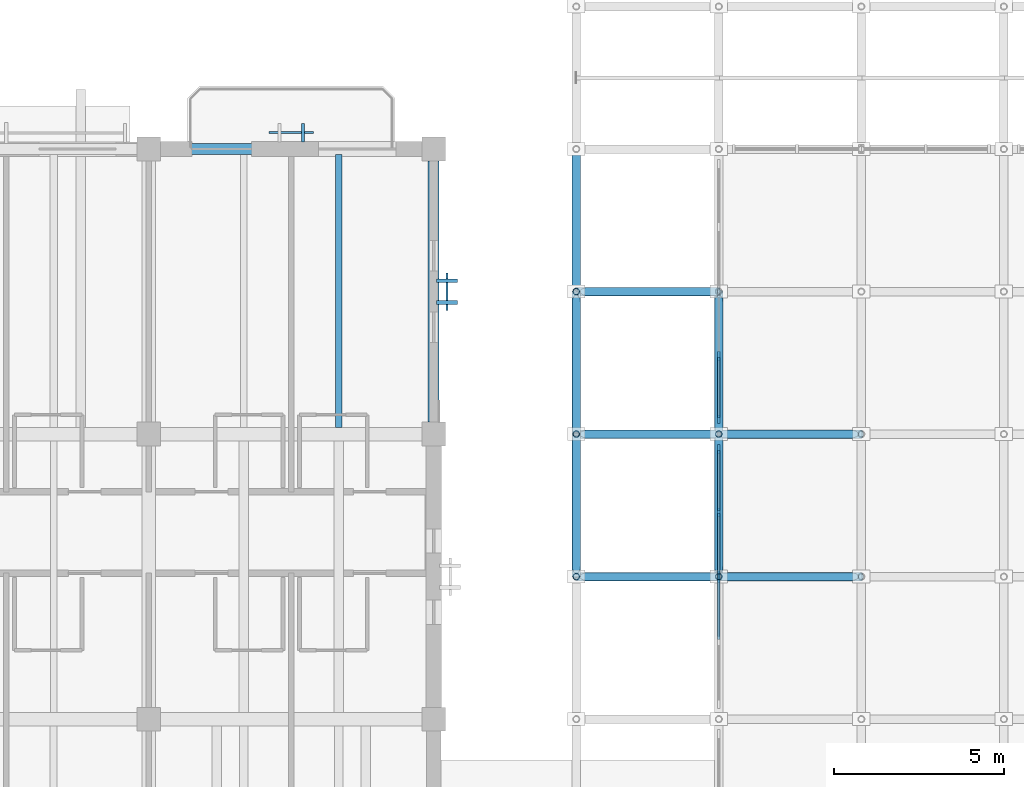
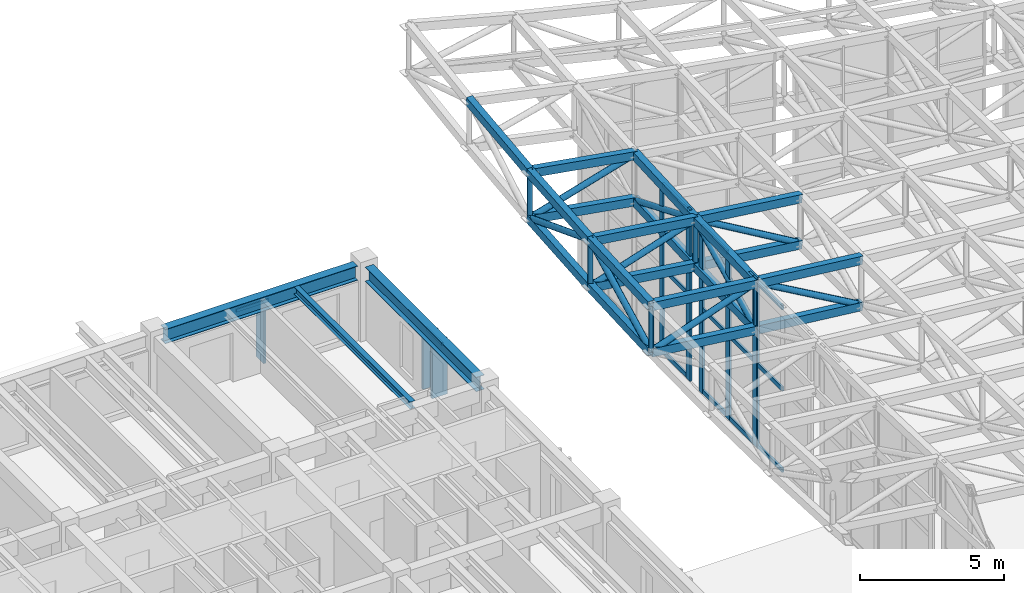
# One storey, part 31 of 111: 56 members, 3 beams, 5 elements without a shape of their own.
"""IFC4 building model written with IfcOpenShell, lengths in metres."""

import ifcopenshell
import ifcopenshell.guid

model = None  # the IFC model being written
_history = None  # IfcOwnerHistory: only IFC2X3 demands one
_inside = {}  # id of a spatial element -> (the spatial element, [elements in it])
_under = {}  # id of a project, library or spatial element -> (it, [spatial elements below it])
_declared = {}  # id of a project -> (the project, [libraries it declares])
_typed = {}  # id of a type object -> (the type object, [elements of that type])
_made_of = {}  # id of a material, layer set ... -> (it, [elements and type objects made of it])


def new_model(schema):
    """Start an empty IFC model of exactly this schema.

    Asked for "IFC4X3", IfcOpenShell would pick the latest addendum, in which some entities
    have other attributes; the version numbers below select the first issue.
    IFC2X3 requires an IfcOwnerHistory on every rooted entity: one is made here for all.
    """
    global model, _history
    if schema == "IFC4X3":
        model = ifcopenshell.file(schema_version=(4, 3, 0, 0))
    else:
        model = ifcopenshell.file(schema=schema)
    _inside.clear()
    _under.clear()
    _declared.clear()
    _typed.clear()
    _made_of.clear()
    _history = None
    if model.schema == "IFC2X3":
        org = make("IfcOrganization", Name="unknown")
        user = make(
            "IfcPersonAndOrganization",
            ThePerson=make("IfcPerson", FamilyName="unknown"),
            TheOrganization=org,
        )
        app = make(
            "IfcApplication",
            ApplicationDeveloper=org,
            Version="unknown",
            ApplicationFullName="unknown",
            ApplicationIdentifier="unknown",
        )
        _history = make(
            "IfcOwnerHistory",
            OwningUser=user,
            OwningApplication=app,
            ChangeAction="ADDED",
            CreationDate=0,
        )
    return model


def make(cls, **values):
    """One entity of the class cls with the attributes given. An attribute that is None is left unset."""
    return model.create_entity(
        cls, **{name: value for name, value in values.items() if value is not None}
    )


def rooted(cls, **values):
    """An entity with a GlobalId (a new one), such as an element, a storey or a relation."""
    return make(cls, GlobalId=ifcopenshell.guid.new(), OwnerHistory=_history, **values)


def si_unit(unit_type, name, prefix=None):
    """IfcSIUnit, for example si_unit("LENGTHUNIT", "METRE", prefix="MILLI")."""
    return make("IfcSIUnit", UnitType=unit_type, Prefix=prefix, Name=name)


def assignment(units):
    """IfcUnitAssignment: the units of a project."""
    return None if units is None else make("IfcUnitAssignment", Units=units)


def point(xyz):
    """IfcCartesianPoint."""
    return None if xyz is None else make("IfcCartesianPoint", Coordinates=xyz)


def direction(xyz):
    """IfcDirection."""
    return None if xyz is None else make("IfcDirection", DirectionRatios=xyz)


def frame(location, z_axis=None, x_axis=None):
    """IfcAxis2Placement3D, a coordinate frame: its origin and axes. An axis left out is left unset."""
    return make(
        "IfcAxis2Placement3D",
        Location=point(location),
        Axis=direction(z_axis),
        RefDirection=direction(x_axis),
    )


def frame_2d(location, x_axis=None):
    """IfcAxis2Placement2D, a coordinate frame in the plane: its origin and x axis."""
    return make(
        "IfcAxis2Placement2D", Location=point(location), RefDirection=direction(x_axis)
    )


def origin():
    """The frame at (0, 0, 0) with its axes left unset."""
    return frame((0.0, 0.0, 0.0))


def origin_2d():
    """The frame at (0, 0) in the plane with its x axis left unset."""
    return frame_2d((0.0, 0.0))


def place(relative_to, where):
    """IfcLocalPlacement: puts the frame where relative to a parent placement (None: the world)."""
    return make(
        "IfcLocalPlacement", PlacementRelTo=relative_to, RelativePlacement=where
    )


def context(
    kind, dimensions, precision=None, world=None, true_north=None, identifier=None
):
    """IfcGeometricRepresentationContext, for example the 3D "Model" context."""
    return make(
        "IfcGeometricRepresentationContext",
        ContextIdentifier=identifier,
        ContextType=kind,
        CoordinateSpaceDimension=dimensions,
        Precision=precision,
        WorldCoordinateSystem=world,
        TrueNorth=true_north,
    )


def subcontext(parent, identifier, kind, view, scale=None):
    """IfcGeometricRepresentationSubContext, for example "Body" below "Model"."""
    return make(
        "IfcGeometricRepresentationSubContext",
        ContextIdentifier=identifier,
        ContextType=kind,
        ParentContext=parent,
        TargetScale=scale,
        TargetView=view,
    )


def project(units=None, contexts=None):
    """IfcProject with its units and contexts."""
    return rooted(
        "IfcProject",
        Name="project",
        RepresentationContexts=contexts,
        UnitsInContext=assignment(units),
    )


def spatial(cls, under=None, at=None, **own):
    """A site, building, storey or space (cls), placed at a placement, below another one or the project."""
    s = rooted(cls, ObjectPlacement=at, **own)
    if under is not None:
        _under.setdefault(under.id(), (under, []))[1].append(s)
    return s


def profile(cls, at=None, kind="AREA", **sizes):
    """A parametric profile (cls). Its sizes go by their IFC names, for example OverallWidth=200.0."""
    return make(cls, ProfileType=kind, Position=at, **sizes)


def rectangle(**sizes):
    """IfcRectangleProfileDef."""
    return profile("IfcRectangleProfileDef", **sizes)


def hollow_rectangle(**sizes):
    """IfcRectangleHollowProfileDef."""
    return profile("IfcRectangleHollowProfileDef", **sizes)


def hollow_circle(**sizes):
    """IfcCircleHollowProfileDef."""
    return profile("IfcCircleHollowProfileDef", **sizes)


def i_section(**sizes):
    """IfcIShapeProfileDef."""
    return profile("IfcIShapeProfileDef", **sizes)


def extrude(swept, where, along, depth):
    """IfcExtrudedAreaSolid: the profile swept, set in the frame where, extruded along a direction by depth."""
    return make(
        "IfcExtrudedAreaSolid",
        SweptArea=swept,
        Position=where,
        ExtrudedDirection=direction(along),
        Depth=depth,
    )


def shape(context_of_items, identifier, shape_type, items):
    """IfcShapeRepresentation: the items that make up one representation, for example the "Body"."""
    return make(
        "IfcShapeRepresentation",
        ContextOfItems=context_of_items,
        RepresentationIdentifier=identifier,
        RepresentationType=shape_type,
        Items=items,
    )


def material(Name=None, Category=None):
    """IfcMaterial."""
    return make("IfcMaterial", Name=Name, Category=Category)


def material_profile(
    of_material, cross_section, Name=None, Category=None, Priority=None
):
    """IfcMaterialProfile: a cross section and its material."""
    return make(
        "IfcMaterialProfile",
        Name=Name,
        Material=of_material,
        Profile=cross_section,
        Priority=Priority,
        Category=Category,
    )


def profile_set(profiles, Name=None, composite=None):
    """IfcMaterialProfileSet."""
    return make(
        "IfcMaterialProfileSet",
        Name=Name,
        MaterialProfiles=profiles,
        CompositeProfile=composite,
    )


def made_of(thing, what):
    """Note that an element or type object is made of a material, layer set ...; save() writes the relation."""
    if what is not None:
        _made_of.setdefault(what.id(), (what, []))[1].append(thing)
    return thing


def type_object(cls, material=None, **own):
    """A type object (cls), such as IfcWallType, which elements share."""
    return made_of(rooted(cls, **own), material)


def element(
    cls,
    number,
    at=None,
    inside=None,
    cuts=None,
    type_object=None,
    material=None,
    context=None,
    identifier="Body",
    shape_type=None,
    held_by="IfcProductDefinitionShape",
    body=None,
    shapes=None,
    **own,
):
    """One element of the class cls, such as IfcWall. Its Tag is "e" and its number.

    at: its placement. inside: the storey or other place that contains it. cuts: it is an
    opening in that element (IfcRelVoidsElement). A single representation is given by context,
    identifier, shape_type and body (its items); several are given by shapes. held_by: the class
    of the entity that holds the representations. save() writes the other relations.
    """
    e = rooted(cls, Tag="e%d" % number, ObjectPlacement=at, **own)
    if body is not None:
        shapes = [shape(context, identifier, shape_type, body)]
    if shapes is not None:
        e.Representation = make(held_by, Representations=shapes)
    if inside is not None:
        _inside.setdefault(inside.id(), (inside, []))[1].append(e)
    if cuts is not None:
        rooted(
            "IfcRelVoidsElement", RelatingBuildingElement=cuts, RelatedOpeningElement=e
        )
    if type_object is not None:
        _typed.setdefault(type_object.id(), (type_object, []))[1].append(e)
    return made_of(e, material)


def aggregate(whole, parts):
    """IfcRelAggregates: a whole, such as a stair, and the parts it consists of."""
    return rooted("IfcRelAggregates", RelatingObject=whole, RelatedObjects=parts)


def save(model, path):
    """Write the relations noted so far, then the file.

    IfcRelAggregates (storeys below a building ...), IfcRelContainedInSpatialStructure (elements
    in a storey), IfcRelDefinesByType, IfcRelAssociatesMaterial and IfcRelDeclares: one each for
    every whole, place, type object, material and project.
    """
    for whole, parts in _under.values():
        aggregate(whole, parts)
    for where, things in _inside.values():
        rooted(
            "IfcRelContainedInSpatialStructure",
            RelatedElements=things,
            RelatingStructure=where,
        )
    for kind, things in _typed.values():
        rooted("IfcRelDefinesByType", RelatedObjects=things, RelatingType=kind)
    for what, things in _made_of.values():
        rooted("IfcRelAssociatesMaterial", RelatedObjects=things, RelatingMaterial=what)
    for by, libraries in _declared.values():
        rooted("IfcRelDeclares", RelatingContext=by, RelatedDefinitions=libraries)
    model.write(path)


model = new_model("IFC4")

# Units and contexts
model_context = context("Model", 3, precision=1e-05, world=origin(), true_north=direction((0.0, 1.0)))
body_context = subcontext(model_context, "Body", "Model", "MODEL_VIEW")
ifc_project = project(units=[si_unit("LENGTHUNIT", "METRE"), si_unit("AREAUNIT", "SQUARE_METRE"), si_unit("VOLUMEUNIT", "CUBIC_METRE"), si_unit("PLANEANGLEUNIT", "RADIAN"), si_unit("MASSUNIT", "GRAM", prefix="KILO")], contexts=[model_context])

# Site, building, storey
site_placement = place(None, origin())
site = spatial("IfcSite", under=ifc_project, at=site_placement, CompositionType="ELEMENT")
building_placement = place(site_placement, origin())
building = spatial("IfcBuilding", under=site, at=building_placement, Name="Cumbredor Promenade Congress Hotel", CompositionType="ELEMENT")
storey_placement = place(building_placement, frame((0.0, 0.0, 15.1201171875)))
storey = spatial("IfcBuildingStorey", under=building, at=storey_placement, Name="L04", CompositionType="ELEMENT", Elevation=15.1201171875)

# Beam
ifc_material_1 = material(Name="Steel ASTM A992 Grade 50", Category="steel")
ifc_material_profile_1 = material_profile(ifc_material_1, i_section(OverallWidth=0.323974609375, OverallDepth=0.611083984375, WebThickness=0.0126953125, FlangeThickness=0.01904296875, at=origin_2d()), Name="W24X104")
ifc_profile_set_1 = profile_set([ifc_material_profile_1], Name="Steel ASTM A992 Grade 50")
beam_type_1 = type_object("IfcBeamType", Name="BM-W24X104", PredefinedType="BEAM", material=ifc_profile_set_1)
beam_1_placement = place(storey_placement, frame((75.949951171875, 117.60009765625, 2.814453125), z_axis=(1.0, 0.0, 0.0), x_axis=(0.0, 1.0, 0.0)))
element("IfcBeam", 1, at=beam_1_placement, inside=storey, type_object=beam_type_1, Name="L05 X-Grid Beam 129", PredefinedType="BEAM", context=body_context, shape_type="SweptSolid", body=[
    extrude(i_section(OverallWidth=0.323974609375, OverallDepth=0.611083984375, WebThickness=0.0126953125, FlangeThickness=0.01904296875, at=origin_2d()), origin(), (0.0, 0.0, 1.0), 7.699951171875),
])

# Curtain wall, member
ifc_material_2 = material(Name="Thermally broken anodized aluminium and low-E glass", Category="aluminium")
curtain_wall_type_1 = type_object("IfcCurtainWallType", Name="Stepped Pavilion Clerestory Curtain Wall CW-06", PredefinedType="NOTDEFINED", material=ifc_material_2)
curtain_wall_1_placement = place(storey_placement, origin())
curtain_wall_1 = element("IfcCurtainWall", 2, at=curtain_wall_1_placement, inside=storey, type_object=curtain_wall_type_1, Name="Pre-Function and Breakout Meeting Forum W Glazed Clerestory 5", PredefinedType="NOTDEFINED")
ifc_material_3 = material(Name="Thermally broken anodized aluminium", Category="aluminium")
ifc_material_profile_2 = material_profile(ifc_material_3, rectangle(XDim=0.0849609375, YDim=0.260009765625, at=origin_2d()), Name="ALU MULLION CLERESTORY 85x260")
ifc_profile_set_2 = profile_set([ifc_material_profile_2], Name="Thermally broken anodized aluminium")
member_type_1 = type_object("IfcMemberType", Name="Curtain Wall Mullion ML-04", PredefinedType="MULLION", material=ifc_profile_set_2)
member_1_placement = place(storey_placement, frame((92.39990234375, 104.9599609375, -0.01806640625), z_axis=(0.0, 0.0, 1.0), x_axis=(1.0, 0.0, 0.0)))
member_1 = element("IfcMember", 3, at=member_1_placement, type_object=member_type_1, Name="Pre-Function and Breakout Meeting Forum W Glazed Clerestory 5 Mullion 3", PredefinedType="MULLION", context=body_context, shape_type="SweptSolid", body=[
    extrude(rectangle(XDim=0.0849609375, YDim=0.260009765625, at=origin_2d()), origin(), (0.0, 0.0, 1.0), 7.078125),
])

# Curtain wall, members
curtain_wall_2_placement = place(storey_placement, origin())
curtain_wall_2 = element("IfcCurtainWall", 4, at=curtain_wall_2_placement, inside=storey, type_object=curtain_wall_type_1, Name="Pre-Function and Breakout Meeting Forum W Glazed Clerestory 6", PredefinedType="NOTDEFINED")
member_2_placement = place(storey_placement, frame((92.39990234375, 105.0400390625, -0.01806640625), z_axis=(0.0, 0.0, 1.0), x_axis=(1.0, 0.0, 0.0)))
member_2 = element("IfcMember", 5, at=member_2_placement, type_object=member_type_1, Name="Pre-Function and Breakout Meeting Forum W Glazed Clerestory 6 Mullion 1", PredefinedType="MULLION", context=body_context, shape_type="SweptSolid", body=[
    extrude(rectangle(XDim=0.0849609375, YDim=0.260009765625, at=origin_2d()), origin(), (0.0, 0.0, 1.0), 7.12060546875),
])
member_3_placement = place(storey_placement, frame((92.39990234375, 106.89990234375, -0.01806640625), z_axis=(0.0, 0.0, 1.0), x_axis=(1.0, 0.0, 0.0)))
member_3 = element("IfcMember", 6, at=member_3_placement, type_object=member_type_1, Name="Pre-Function and Breakout Meeting Forum W Glazed Clerestory 6 Mullion 2", PredefinedType="MULLION", context=body_context, shape_type="SweptSolid", body=[
    extrude(rectangle(XDim=0.0849609375, YDim=0.260009765625, at=origin_2d()), origin(), (0.0, 0.0, 1.0), 7.12060546875),
])
member_4_placement = place(storey_placement, frame((92.39990234375, 108.760009765625, -0.01806640625), z_axis=(0.0, 0.0, 1.0), x_axis=(1.0, 0.0, 0.0)))
member_4 = element("IfcMember", 7, at=member_4_placement, type_object=member_type_1, Name="Pre-Function and Breakout Meeting Forum W Glazed Clerestory 6 Mullion 3", PredefinedType="MULLION", context=body_context, shape_type="SweptSolid", body=[
    extrude(rectangle(XDim=0.0849609375, YDim=0.260009765625, at=origin_2d()), origin(), (0.0, 0.0, 1.0), 7.12060546875),
])

curtain_wall_3_placement = place(storey_placement, origin())
curtain_wall_3 = element("IfcCurtainWall", 8, at=curtain_wall_3_placement, inside=storey, type_object=curtain_wall_type_1, Name="Pre-Function and Breakout Meeting Forum W Glazed Clerestory 7", PredefinedType="NOTDEFINED")
member_5_placement = place(storey_placement, frame((92.39990234375, 109.639892578125, -0.01806640625), z_axis=(0.0, 0.0, 1.0), x_axis=(1.0, 0.0, 0.0)))
member_5 = element("IfcMember", 9, at=member_5_placement, type_object=member_type_1, Name="Pre-Function and Breakout Meeting Forum W Glazed Clerestory 7 Mullion 1", PredefinedType="MULLION", context=body_context, shape_type="SweptSolid", body=[
    extrude(rectangle(XDim=0.0849609375, YDim=0.260009765625, at=origin_2d()), origin(), (0.0, 0.0, 1.0), 7.248046875),
])
member_6_placement = place(storey_placement, frame((92.39990234375, 111.5, -0.01806640625), z_axis=(0.0, 0.0, 1.0), x_axis=(1.0, 0.0, 0.0)))
member_6 = element("IfcMember", 10, at=member_6_placement, type_object=member_type_1, Name="Pre-Function and Breakout Meeting Forum W Glazed Clerestory 7 Mullion 2", PredefinedType="MULLION", context=body_context, shape_type="SweptSolid", body=[
    extrude(rectangle(XDim=0.0849609375, YDim=0.260009765625, at=origin_2d()), origin(), (0.0, 0.0, 1.0), 7.248046875),
])

# Curtain wall, member
curtain_wall_type_2 = type_object("IfcCurtainWallType", Name="Solar Brise-Soleil Screen Assembly CW-07", PredefinedType="NOTDEFINED", material=ifc_material_2)
curtain_wall_4_placement = place(storey_placement, origin())
curtain_wall_4 = element("IfcCurtainWall", 11, at=curtain_wall_4_placement, inside=storey, type_object=curtain_wall_type_2, Name="L04 Veranda Solar Brise-Soleil Screen 784", PredefinedType="NOTDEFINED")
ifc_material_profile_3 = material_profile(ifc_material_3, rectangle(XDim=0.06494140625, YDim=0.1298828125, at=origin_2d()), Name="ALU TRANSOM 65x130")
ifc_profile_set_3 = profile_set([ifc_material_profile_3], Name="Thermally broken anodized aluminium")
member_type_2 = type_object("IfcMemberType", Name="Curtain Wall Transom TR-01", PredefinedType="USERDEFINED", material=ifc_profile_set_3)
member_7_placement = place(storey_placement, frame((79.14990234375, 118.0849609375, 2.413818359375), z_axis=(1.0, 0.0, 0.0), x_axis=(0.0, 1.0, 0.0)))
member_7 = element("IfcMember", 12, at=member_7_placement, type_object=member_type_2, Name="L04 Brise-Soleil Header Tie 0786", ObjectType="TRANSOM", PredefinedType="USERDEFINED", context=body_context, shape_type="SweptSolid", body=[
    extrude(rectangle(XDim=0.06494140625, YDim=0.1298828125, at=origin_2d()), origin(), (0.0, 0.0, 1.0), 1.300048828125),
])

curtain_wall_5_placement = place(storey_placement, origin())
curtain_wall_5 = element("IfcCurtainWall", 13, at=curtain_wall_5_placement, inside=storey, type_object=curtain_wall_type_2, Name="L04 Pier Brise-Soleil Screen 0802", PredefinedType="NOTDEFINED")
member_8_placement = place(storey_placement, frame((84.389892578125, 112.85009765625, 2.333984375), z_axis=(0.0, 1.0, 0.0), x_axis=(-1.0, 0.0, 0.0)))
member_8 = element("IfcMember", 14, at=member_8_placement, type_object=member_type_2, Name="L04 Pier Brise-Soleil Header 0804", ObjectType="TRANSOM", PredefinedType="USERDEFINED", context=body_context, shape_type="SweptSolid", body=[
    extrude(rectangle(XDim=0.06494140625, YDim=0.1298828125, at=origin_2d()), origin(), (0.0, 0.0, 1.0), 1.099853515625),
])

# Member
ifc_material_profile_4 = material_profile(ifc_material_3, rectangle(XDim=0.080078125, YDim=0.179931640625, at=origin_2d()), Name="ALU TRANSOM 80x180")
ifc_profile_set_4 = profile_set([ifc_material_profile_4], Name="Thermally broken anodized aluminium")
member_type_3 = type_object("IfcMemberType", Name="Curtain Wall Transom TR-03", PredefinedType="USERDEFINED", material=ifc_profile_set_4)
member_9_placement = place(storey_placement, frame((92.39990234375, 103.142578125, 0.079833984375), z_axis=(0.0, 1.0, 0.0), x_axis=(-1.0, 0.0, 0.0)))
member_9 = element("IfcMember", 15, at=member_9_placement, type_object=member_type_3, Name="Pre-Function and Breakout Meeting Forum W Glazed Clerestory 5 Transom 2.1", ObjectType="TRANSOM", PredefinedType="USERDEFINED", context=body_context, shape_type="SweptSolid", body=[
    extrude(rectangle(XDim=0.080078125, YDim=0.179931640625, at=origin_2d()), origin(), (0.0, 0.0, 1.0), 1.77490234375),
])

member_10_placement = place(storey_placement, frame((92.39990234375, 103.142578125, 3.519775390625), z_axis=(0.0, 1.0, 0.0), x_axis=(-1.0, 0.0, 0.0)))
member_10 = element("IfcMember", 16, at=member_10_placement, type_object=member_type_3, Name="Pre-Function and Breakout Meeting Forum W Glazed Clerestory 5 Transom 2.2", ObjectType="TRANSOM", PredefinedType="USERDEFINED", context=body_context, shape_type="SweptSolid", body=[
    extrude(rectangle(XDim=0.080078125, YDim=0.179931640625, at=origin_2d()), origin(), (0.0, 0.0, 1.0), 1.77490234375),
])

member_11_placement = place(storey_placement, frame((92.39990234375, 103.142578125, 6.9599609375), z_axis=(0.0, 1.0, 0.0), x_axis=(-1.0, 0.0, 0.0)))
member_11 = element("IfcMember", 17, at=member_11_placement, type_object=member_type_3, Name="Pre-Function and Breakout Meeting Forum W Glazed Clerestory 5 Transom 2.3", ObjectType="TRANSOM", PredefinedType="USERDEFINED", context=body_context, shape_type="SweptSolid", body=[
    extrude(rectangle(XDim=0.080078125, YDim=0.179931640625, at=origin_2d()), origin(), (0.0, 0.0, 1.0), 1.77490234375),
])

aggregate(curtain_wall_1, [member_1, member_9, member_10, member_11])

member_12_placement = place(storey_placement, frame((92.39990234375, 105.08251953125, 0.079833984375), z_axis=(0.0, 1.0, 0.0), x_axis=(-1.0, 0.0, 0.0)))
member_12 = element("IfcMember", 18, at=member_12_placement, type_object=member_type_3, Name="Pre-Function and Breakout Meeting Forum W Glazed Clerestory 6 Transom 1.1", ObjectType="TRANSOM", PredefinedType="USERDEFINED", context=body_context, shape_type="SweptSolid", body=[
    extrude(rectangle(XDim=0.080078125, YDim=0.179931640625, at=origin_2d()), origin(), (0.0, 0.0, 1.0), 1.77490234375),
])

member_13_placement = place(storey_placement, frame((92.39990234375, 105.08251953125, 3.539794921875), z_axis=(0.0, 1.0, 0.0), x_axis=(-1.0, 0.0, 0.0)))
member_13 = element("IfcMember", 19, at=member_13_placement, type_object=member_type_3, Name="Pre-Function and Breakout Meeting Forum W Glazed Clerestory 6 Transom 1.2", ObjectType="TRANSOM", PredefinedType="USERDEFINED", context=body_context, shape_type="SweptSolid", body=[
    extrude(rectangle(XDim=0.080078125, YDim=0.179931640625, at=origin_2d()), origin(), (0.0, 0.0, 1.0), 1.77490234375),
])

member_14_placement = place(storey_placement, frame((92.39990234375, 105.08251953125, 7.0), z_axis=(0.0, 1.0, 0.0), x_axis=(-1.0, 0.0, 0.0)))
member_14 = element("IfcMember", 20, at=member_14_placement, type_object=member_type_3, Name="Pre-Function and Breakout Meeting Forum W Glazed Clerestory 6 Transom 1.3", ObjectType="TRANSOM", PredefinedType="USERDEFINED", context=body_context, shape_type="SweptSolid", body=[
    extrude(rectangle(XDim=0.080078125, YDim=0.179931640625, at=origin_2d()), origin(), (0.0, 0.0, 1.0), 1.77490234375),
])

member_15_placement = place(storey_placement, frame((92.39990234375, 106.9423828125, 0.079833984375), z_axis=(0.0, 1.0, 0.0), x_axis=(-1.0, 0.0, 0.0)))
member_15 = element("IfcMember", 21, at=member_15_placement, type_object=member_type_3, Name="Pre-Function and Breakout Meeting Forum W Glazed Clerestory 6 Transom 2.1", ObjectType="TRANSOM", PredefinedType="USERDEFINED", context=body_context, shape_type="SweptSolid", body=[
    extrude(rectangle(XDim=0.080078125, YDim=0.179931640625, at=origin_2d()), origin(), (0.0, 0.0, 1.0), 1.775146484375),
])

member_16_placement = place(storey_placement, frame((92.39990234375, 106.9423828125, 3.539794921875), z_axis=(0.0, 1.0, 0.0), x_axis=(-1.0, 0.0, 0.0)))
member_16 = element("IfcMember", 22, at=member_16_placement, type_object=member_type_3, Name="Pre-Function and Breakout Meeting Forum W Glazed Clerestory 6 Transom 2.2", ObjectType="TRANSOM", PredefinedType="USERDEFINED", context=body_context, shape_type="SweptSolid", body=[
    extrude(rectangle(XDim=0.080078125, YDim=0.179931640625, at=origin_2d()), origin(), (0.0, 0.0, 1.0), 1.775146484375),
])

member_17_placement = place(storey_placement, frame((92.39990234375, 106.9423828125, 7.0), z_axis=(0.0, 1.0, 0.0), x_axis=(-1.0, 0.0, 0.0)))
member_17 = element("IfcMember", 23, at=member_17_placement, type_object=member_type_3, Name="Pre-Function and Breakout Meeting Forum W Glazed Clerestory 6 Transom 2.3", ObjectType="TRANSOM", PredefinedType="USERDEFINED", context=body_context, shape_type="SweptSolid", body=[
    extrude(rectangle(XDim=0.080078125, YDim=0.179931640625, at=origin_2d()), origin(), (0.0, 0.0, 1.0), 1.775146484375),
])

aggregate(curtain_wall_2, [member_2, member_3, member_4, member_12, member_13, member_14, member_15, member_16, member_17])

member_18_placement = place(storey_placement, frame((92.39990234375, 109.6826171875, 0.079833984375), z_axis=(0.0, 1.0, 0.0), x_axis=(-1.0, 0.0, 0.0)))
member_18 = element("IfcMember", 24, at=member_18_placement, type_object=member_type_3, Name="Pre-Function and Breakout Meeting Forum W Glazed Clerestory 7 Transom 1.1", ObjectType="TRANSOM", PredefinedType="USERDEFINED", context=body_context, shape_type="SweptSolid", body=[
    extrude(rectangle(XDim=0.080078125, YDim=0.179931640625, at=origin_2d()), origin(), (0.0, 0.0, 1.0), 1.77490234375),
])

member_19_placement = place(storey_placement, frame((92.39990234375, 109.6826171875, 3.60986328125), z_axis=(0.0, 1.0, 0.0), x_axis=(-1.0, 0.0, 0.0)))
member_19 = element("IfcMember", 25, at=member_19_placement, type_object=member_type_3, Name="Pre-Function and Breakout Meeting Forum W Glazed Clerestory 7 Transom 1.2", ObjectType="TRANSOM", PredefinedType="USERDEFINED", context=body_context, shape_type="SweptSolid", body=[
    extrude(rectangle(XDim=0.080078125, YDim=0.179931640625, at=origin_2d()), origin(), (0.0, 0.0, 1.0), 1.77490234375),
])

member_20_placement = place(storey_placement, frame((92.39990234375, 109.6826171875, 7.1298828125), z_axis=(0.0, 1.0, 0.0), x_axis=(-1.0, 0.0, 0.0)))
member_20 = element("IfcMember", 26, at=member_20_placement, type_object=member_type_3, Name="Pre-Function and Breakout Meeting Forum W Glazed Clerestory 7 Transom 1.3", ObjectType="TRANSOM", PredefinedType="USERDEFINED", context=body_context, shape_type="SweptSolid", body=[
    extrude(rectangle(XDim=0.080078125, YDim=0.179931640625, at=origin_2d()), origin(), (0.0, 0.0, 1.0), 1.77490234375),
])

aggregate(curtain_wall_3, [member_5, member_6, member_18, member_19, member_20])

# Members
ifc_material_4 = material(Name="Steel ASTM A500 Grade C", Category="steel")
ifc_material_profile_5 = material_profile(ifc_material_4, hollow_rectangle(XDim=0.25, YDim=0.35009765625, WallThickness=0.01611328125, at=origin_2d()), Name="HSS 350x250x16")
ifc_profile_set_5 = profile_set([ifc_material_profile_5], Name="Steel ASTM A500 Grade C")
member_type_4 = type_object("IfcMemberType", Name="Forum Roof Truss Chord", PredefinedType="CHORD", material=ifc_profile_set_5)
for number, where, z_axis, x_axis, name in (
    (27, (88.199951171875, 105.0, 7.412841796875), (0.992666157769, 0.0, -0.120887961433), (0.0, 1.0, 0.0), "Pre-Function and Breakout Meeting Forum X Top Chord 1.7"),
    (28, (88.199951171875, 105.0, 5.462890625), (0.992666157769, 0.0, -0.120887961433), (0.0, 1.0, 0.0), "Pre-Function and Breakout Meeting Forum X Bottom Chord 1.7"),
):
    element("IfcMember", number, at=place(storey_placement, frame(where, z_axis=z_axis, x_axis=x_axis)), inside=storey, type_object=member_type_4, Name=name, PredefinedType="CHORD", context=body_context, shape_type="SweptSolid", body=[
        extrude(hollow_rectangle(XDim=0.25, YDim=0.35009765625, WallThickness=0.01611328125, at=origin_2d()), origin(), (0.0, 0.0, 1.0), 4.23095703125),
    ])
for number, where, z_axis, x_axis, name in (
    (29, (92.39990234375, 105.0, 6.9013671875), (0.994013395162, 0.0, -0.109258273091), (0.0, 1.0, 0.0), "Pre-Function and Breakout Meeting Forum X Top Chord 2.7"),
    (30, (92.39990234375, 105.0, 4.951416015625), (0.994013395162, 0.0, -0.109258273091), (0.0, 1.0, 0.0), "Pre-Function and Breakout Meeting Forum X Bottom Chord 2.7"),
):
    element("IfcMember", number, at=place(storey_placement, frame(where, z_axis=z_axis, x_axis=x_axis)), inside=storey, type_object=member_type_4, Name=name, PredefinedType="CHORD", context=body_context, shape_type="SweptSolid", body=[
        extrude(hollow_rectangle(XDim=0.25, YDim=0.35009765625, WallThickness=0.01611328125, at=origin_2d()), origin(), (0.0, 0.0, 1.0), 4.2255859375),
    ])
for number, where, z_axis, x_axis, name in (
    (31, (88.199951171875, 109.199951171875, 7.61572265625), (0.990384544095, 0.0, -0.138341804305), (0.0, 1.0, 0.0), "Pre-Function and Breakout Meeting Forum X Top Chord 1.8"),
    (32, (88.199951171875, 109.199951171875, 5.665771484375), (0.990384544095, 0.0, -0.138341804305), (0.0, 1.0, 0.0), "Pre-Function and Breakout Meeting Forum X Bottom Chord 1.8"),
):
    element("IfcMember", number, at=place(storey_placement, frame(where, z_axis=z_axis, x_axis=x_axis)), inside=storey, type_object=member_type_4, Name=name, PredefinedType="CHORD", context=body_context, shape_type="SweptSolid", body=[
        extrude(hollow_rectangle(XDim=0.25, YDim=0.35009765625, WallThickness=0.01611328125, at=origin_2d()), origin(), (0.0, 0.0, 1.0), 4.24072265625),
    ])
for number, where, z_axis, x_axis, name in (
    (33, (92.39990234375, 109.199951171875, 7.029052734375), (0.99216031926, 0.0, -0.124971600316), (0.0, 1.0, 0.0), "Pre-Function and Breakout Meeting Forum X Top Chord 2.8"),
    (34, (92.39990234375, 109.199951171875, 5.0791015625), (0.992153167036, 0.0, -0.125028369341), (0.0, 1.0, 0.0), "Pre-Function and Breakout Meeting Forum X Bottom Chord 2.8"),
):
    element("IfcMember", number, at=place(storey_placement, frame(where, z_axis=z_axis, x_axis=x_axis)), inside=storey, type_object=member_type_4, Name=name, PredefinedType="CHORD", context=body_context, shape_type="SweptSolid", body=[
        extrude(hollow_rectangle(XDim=0.25, YDim=0.35009765625, WallThickness=0.01611328125, at=origin_2d()), origin(), (0.0, 0.0, 1.0), 4.2333984375),
    ])
for number, where, z_axis, x_axis, name in (
    (35, (88.199951171875, 113.39990234375, 7.953857421875), (0.985936316925, 0.0, -0.167121449756), (0.0, 1.0, 0.0), "Pre-Function and Breakout Meeting Forum X Top Chord 1.9"),
    (36, (88.199951171875, 113.39990234375, 6.003662109375), (0.985945758784, 0.0, -0.16706573777), (0.0, 1.0, 0.0), "Pre-Function and Breakout Meeting Forum X Bottom Chord 1.9"),
):
    element("IfcMember", number, at=place(storey_placement, frame(where, z_axis=z_axis, x_axis=x_axis)), inside=storey, type_object=member_type_4, Name=name, PredefinedType="CHORD", context=body_context, shape_type="SweptSolid", body=[
        extrude(hollow_rectangle(XDim=0.25, YDim=0.35009765625, WallThickness=0.01611328125, at=origin_2d()), origin(), (0.0, 0.0, 1.0), 4.259765625),
    ])
for number, where, z_axis, x_axis, name in (
    (37, (88.199951171875, 105.0, 7.412841796875), (0.0, 0.99883532584, 0.048249267905), (-1.0, 0.0, 0.0), "Pre-Function and Breakout Meeting Forum Y Top Chord 1.7"),
    (38, (88.199951171875, 105.0, 5.462890625), (0.0, 0.99883532584, 0.048249267905), (-1.0, 0.0, 0.0), "Pre-Function and Breakout Meeting Forum Y Bottom Chord 1.7"),
):
    element("IfcMember", number, at=place(storey_placement, frame(where, z_axis=z_axis, x_axis=x_axis)), inside=storey, type_object=member_type_4, Name=name, PredefinedType="CHORD", context=body_context, shape_type="SweptSolid", body=[
        extrude(hollow_rectangle(XDim=0.25, YDim=0.35009765625, WallThickness=0.01611328125, at=origin_2d()), origin(), (0.0, 0.0, 1.0), 4.204833984375),
    ])
for number, where, z_axis, x_axis, name in (
    (39, (88.199951171875, 109.199951171875, 7.61572265625), (0.0, 0.996774803477, 0.080249555474), (-1.0, 0.0, 0.0), "Pre-Function and Breakout Meeting Forum Y Top Chord 1.8"),
    (40, (88.199951171875, 109.199951171875, 5.665771484375), (0.0, 0.996779436652, 0.0801919863), (-1.0, 0.0, 0.0), "Pre-Function and Breakout Meeting Forum Y Bottom Chord 1.8"),
):
    element("IfcMember", number, at=place(storey_placement, frame(where, z_axis=z_axis, x_axis=x_axis)), inside=storey, type_object=member_type_4, Name=name, PredefinedType="CHORD", context=body_context, shape_type="SweptSolid", body=[
        extrude(hollow_rectangle(XDim=0.25, YDim=0.35009765625, WallThickness=0.01611328125, at=origin_2d()), origin(), (0.0, 0.0, 1.0), 4.213623046875),
    ])
member_21_placement = place(storey_placement, frame((88.199951171875, 113.39990234375, 7.953857421875), z_axis=(0.0, 0.993721366022, 0.111883183329), x_axis=(-1.0, 0.0, 0.0)))
element("IfcMember", 41, at=member_21_placement, inside=storey, type_object=member_type_4, Name="Pre-Function and Breakout Meeting Forum Y Top Chord 1.9", PredefinedType="CHORD", context=body_context, shape_type="SweptSolid", body=[
    extrude(hollow_rectangle(XDim=0.25, YDim=0.35009765625, WallThickness=0.01611328125, at=origin_2d()), origin(), (0.0, 0.0, 1.0), 4.226806640625),
])
for number, where, z_axis, x_axis, name in (
    (42, (92.39990234375, 105.0, 6.9013671875), (0.0, 0.999538189206, 0.030387634305), (-1.0, 0.0, 0.0), "Pre-Function and Breakout Meeting Forum Y Top Chord 2.7"),
    (43, (92.39990234375, 105.0, 4.951416015625), (0.0, 0.999538189206, 0.030387634305), (-1.0, 0.0, 0.0), "Pre-Function and Breakout Meeting Forum Y Bottom Chord 2.7"),
):
    element("IfcMember", number, at=place(storey_placement, frame(where, z_axis=z_axis, x_axis=x_axis)), inside=storey, type_object=member_type_4, Name=name, PredefinedType="CHORD", context=body_context, shape_type="SweptSolid", body=[
        extrude(hollow_rectangle(XDim=0.25, YDim=0.35009765625, WallThickness=0.01611328125, at=origin_2d()), origin(), (0.0, 0.0, 1.0), 4.201904296875),
    ])
for number, where, z_axis, x_axis, name in (
    (44, (92.39990234375, 109.199951171875, 7.029052734375), (0.0, 0.998717791398, 0.050623839685), (-1.0, 0.0, 0.0), "Pre-Function and Breakout Meeting Forum Y Top Chord 2.8"),
    (45, (92.39990234375, 109.199951171875, 5.0791015625), (0.0, 0.998717791398, 0.050623839685), (-1.0, 0.0, 0.0), "Pre-Function and Breakout Meeting Forum Y Bottom Chord 2.8"),
):
    element("IfcMember", number, at=place(storey_placement, frame(where, z_axis=z_axis, x_axis=x_axis)), inside=storey, type_object=member_type_4, Name=name, PredefinedType="CHORD", context=body_context, shape_type="SweptSolid", body=[
        extrude(hollow_rectangle(XDim=0.25, YDim=0.35009765625, WallThickness=0.01611328125, at=origin_2d()), origin(), (0.0, 0.0, 1.0), 4.205322265625),
    ])

# Beams
ifc_material_profile_6 = material_profile(ifc_material_1, i_section(OverallWidth=0.202880859375, OverallDepth=0.302978515625, WebThickness=0.007568359375, FlangeThickness=0.01318359375, at=origin_2d()), Name="W12X40")
ifc_profile_set_6 = profile_set([ifc_material_profile_6], Name="Steel ASTM A992 Grade 50")
beam_type_2 = type_object("IfcBeamType", Name="JST-W12X40", PredefinedType="JOIST", material=ifc_profile_set_6)
beam_2_placement = place(storey_placement, frame((81.199951171875, 109.39990234375, 2.96826171875), z_axis=(0.0, 1.0, 0.0), x_axis=(-1.0, 0.0, 0.0)))
element("IfcBeam", 46, at=beam_2_placement, inside=storey, type_object=beam_type_2, Name="L05 Secondary Floor Joist 0075", PredefinedType="JOIST", context=body_context, shape_type="SweptSolid", body=[
    extrude(i_section(OverallWidth=0.202880859375, OverallDepth=0.302978515625, WebThickness=0.007568359375, FlangeThickness=0.01318359375, at=origin_2d()), origin(), (0.0, 0.0, 1.0), 8.0380859375),
])
ifc_material_profile_7 = material_profile(ifc_material_1, i_section(OverallWidth=0.323974609375, OverallDepth=0.611083984375, WebThickness=0.0126953125, FlangeThickness=0.01904296875, at=origin_2d()), Name="W24X104")
ifc_profile_set_7 = profile_set([ifc_material_profile_7], Name="Steel ASTM A992 Grade 50")
beam_type_3 = type_object("IfcBeamType", Name="SP-W24X104", PredefinedType="SPANDREL", material=ifc_profile_set_7)
beam_3_placement = place(storey_placement, frame((84.0, 109.550048828125, 2.814453125), z_axis=(0.0, 1.0, 0.0), x_axis=(-1.0, 0.0, 0.0)))
element("IfcBeam", 47, at=beam_3_placement, inside=storey, type_object=beam_type_3, Name="L05 Y-Grid Beam 132", PredefinedType="SPANDREL", context=body_context, shape_type="SweptSolid", body=[
    extrude(i_section(OverallWidth=0.323974609375, OverallDepth=0.611083984375, WebThickness=0.0126953125, FlangeThickness=0.01904296875, at=origin_2d()), origin(), (0.0, 0.0, 1.0), 7.699951171875),
])

# Members
ifc_material_profile_8 = material_profile(ifc_material_4, hollow_circle(Radius=0.122314453125, WallThickness=0.012451171875, at=origin_2d()), Name="CHS 244.5x12.5")
ifc_profile_set_8 = profile_set([ifc_material_profile_8], Name="Steel ASTM A500 Grade C")
member_type_5 = type_object("IfcMemberType", Name="Space Frame Web Diagonal D2", PredefinedType="BRACE", material=ifc_profile_set_8)
member_22_placement = place(storey_placement, frame((88.199951171875, 105.0, 5.462890625), z_axis=(0.946050018947, 0.0, 0.324020619173), x_axis=(0.0, 1.0, 0.0)))
element("IfcMember", 48, at=member_22_placement, inside=storey, type_object=member_type_5, Name="Pre-Function and Breakout Meeting Forum X Web Diagonal 1.7", PredefinedType="BRACE", context=body_context, shape_type="SweptSolid", body=[
    extrude(hollow_circle(Radius=0.122314453125, WallThickness=0.012451171875, at=origin_2d()), origin(), (0.0, 0.0, 1.0), 4.439453125),
])
member_23_placement = place(storey_placement, frame((92.39990234375, 105.0, 6.9013671875), z_axis=(0.867217625774, 0.0, -0.497929301755), x_axis=(0.0, 1.0, 0.0)))
element("IfcMember", 49, at=member_23_placement, inside=storey, type_object=member_type_5, Name="Pre-Function and Breakout Meeting Forum X Web Diagonal 2.7", PredefinedType="BRACE", context=body_context, shape_type="SweptSolid", body=[
    extrude(hollow_circle(Radius=0.122314453125, WallThickness=0.012451171875, at=origin_2d()), origin(), (0.0, 0.0, 1.0), 4.84326171875),
])
member_24_placement = place(storey_placement, frame((88.199951171875, 109.199951171875, 5.665771484375), z_axis=(0.951147365682, 0.0, 0.308737248734), x_axis=(0.0, 1.0, 0.0)))
element("IfcMember", 50, at=member_24_placement, inside=storey, type_object=member_type_5, Name="Pre-Function and Breakout Meeting Forum X Web Diagonal 1.8", PredefinedType="BRACE", context=body_context, shape_type="SweptSolid", body=[
    extrude(hollow_circle(Radius=0.122314453125, WallThickness=0.012451171875, at=origin_2d()), origin(), (0.0, 0.0, 1.0), 4.415771484375),
])
member_25_placement = place(storey_placement, frame((92.39990234375, 109.199951171875, 7.029052734375), z_axis=(0.861167590652, 0.0, -0.508321139449), x_axis=(0.0, 1.0, 0.0)))
element("IfcMember", 51, at=member_25_placement, inside=storey, type_object=member_type_5, Name="Pre-Function and Breakout Meeting Forum X Web Diagonal 2.8", PredefinedType="BRACE", context=body_context, shape_type="SweptSolid", body=[
    extrude(hollow_circle(Radius=0.122314453125, WallThickness=0.012451171875, at=origin_2d()), origin(), (0.0, 0.0, 1.0), 4.87744140625),
])
member_26_placement = place(storey_placement, frame((88.199951171875, 113.39990234375, 6.003662109375), z_axis=(0.959179734942, 0.0, 0.282797164194), x_axis=(0.0, 1.0, 0.0)))
element("IfcMember", 52, at=member_26_placement, inside=storey, type_object=member_type_5, Name="Pre-Function and Breakout Meeting Forum X Web Diagonal 1.9", PredefinedType="BRACE", context=body_context, shape_type="SweptSolid", body=[
    extrude(hollow_circle(Radius=0.122314453125, WallThickness=0.012451171875, at=origin_2d()), origin(), (0.0, 0.0, 1.0), 4.378662109375),
])
member_27_placement = place(storey_placement, frame((88.199951171875, 105.0, 5.462890625), z_axis=(0.0, 0.889902541152, 0.45615070673), x_axis=(-1.0, 0.0, 0.0)))
element("IfcMember", 53, at=member_27_placement, inside=storey, type_object=member_type_5, Name="Pre-Function and Breakout Meeting Forum Y Web Diagonal 1.7", PredefinedType="BRACE", context=body_context, shape_type="SweptSolid", body=[
    extrude(hollow_circle(Radius=0.122314453125, WallThickness=0.012451171875, at=origin_2d()), origin(), (0.0, 0.0, 1.0), 4.719482421875),
])
member_28_placement = place(storey_placement, frame((88.199951171875, 109.199951171875, 7.61572265625), z_axis=(0.0, 0.933591555924, -0.358338955052), x_axis=(-1.0, 0.0, 0.0)))
element("IfcMember", 54, at=member_28_placement, inside=storey, type_object=member_type_5, Name="Pre-Function and Breakout Meeting Forum Y Web Diagonal 1.8", PredefinedType="BRACE", context=body_context, shape_type="SweptSolid", body=[
    extrude(hollow_circle(Radius=0.122314453125, WallThickness=0.012451171875, at=origin_2d()), origin(), (0.0, 0.0, 1.0), 4.498779296875),
])
member_29_placement = place(storey_placement, frame((92.39990234375, 105.0, 4.951416015625), z_axis=(0.0, 0.896326025253, 0.443395598146), x_axis=(-1.0, 0.0, 0.0)))
element("IfcMember", 55, at=member_29_placement, inside=storey, type_object=member_type_5, Name="Pre-Function and Breakout Meeting Forum Y Web Diagonal 2.7", PredefinedType="BRACE", context=body_context, shape_type="SweptSolid", body=[
    extrude(hollow_circle(Radius=0.122314453125, WallThickness=0.012451171875, at=origin_2d()), origin(), (0.0, 0.0, 1.0), 4.685791015625),
])
member_30_placement = place(storey_placement, frame((92.39990234375, 109.199951171875, 7.029052734375), z_axis=(0.0, 0.924082914306, -0.382192055763), x_axis=(-1.0, 0.0, 0.0)))
element("IfcMember", 56, at=member_30_placement, inside=storey, type_object=member_type_5, Name="Pre-Function and Breakout Meeting Forum Y Web Diagonal 2.8", PredefinedType="BRACE", context=body_context, shape_type="SweptSolid", body=[
    extrude(hollow_circle(Radius=0.122314453125, WallThickness=0.012451171875, at=origin_2d()), origin(), (0.0, 0.0, 1.0), 4.544921875),
])
ifc_material_profile_9 = material_profile(ifc_material_4, hollow_circle(Radius=0.096923828125, WallThickness=0.010009765625, at=origin_2d()), Name="CHS 193.7x10")
ifc_profile_set_9 = profile_set([ifc_material_profile_9], Name="Steel ASTM A500 Grade C")
member_type_6 = type_object("IfcMemberType", Name="Space Frame Web Post P1", PredefinedType="BRACE", material=ifc_profile_set_9)
for number, where, z_axis, x_axis, name in (
    (57, (88.199951171875, 105.0, 5.462890625), (0.0, 0.0, 1.0), (1.0, 0.0, 0.0), "Pre-Function and Breakout Meeting Forum Space Frame Web Post 1.7"),
    (58, (88.199951171875, 109.199951171875, 5.665771484375), (0.0, 0.0, 1.0), (1.0, 0.0, 0.0), "Pre-Function and Breakout Meeting Forum Space Frame Web Post 1.8"),
):
    element("IfcMember", number, at=place(storey_placement, frame(where, z_axis=z_axis, x_axis=x_axis)), inside=storey, type_object=member_type_6, Name=name, PredefinedType="BRACE", context=body_context, shape_type="SweptSolid", body=[
        extrude(hollow_circle(Radius=0.096923828125, WallThickness=0.010009765625, at=origin_2d()), origin(), (0.0, 0.0, 1.0), 1.949951171875),
    ])
member_31_placement = place(storey_placement, frame((88.199951171875, 113.39990234375, 6.003662109375), z_axis=(0.0, 0.0, 1.0), x_axis=(1.0, 0.0, 0.0)))
element("IfcMember", 59, at=member_31_placement, inside=storey, type_object=member_type_6, Name="Pre-Function and Breakout Meeting Forum Space Frame Web Post 1.9", PredefinedType="BRACE", context=body_context, shape_type="SweptSolid", body=[
    extrude(hollow_circle(Radius=0.096923828125, WallThickness=0.010009765625, at=origin_2d()), origin(), (0.0, 0.0, 1.0), 1.9501953125),
])
for number, where, z_axis, x_axis, name in (
    (60, (92.39990234375, 105.0, 4.951416015625), (0.0, 0.0, 1.0), (1.0, 0.0, 0.0), "Pre-Function and Breakout Meeting Forum Space Frame Web Post 2.7"),
    (61, (92.39990234375, 109.199951171875, 5.0791015625), (0.0, 0.0, 1.0), (1.0, 0.0, 0.0), "Pre-Function and Breakout Meeting Forum Space Frame Web Post 2.8"),
):
    element("IfcMember", number, at=place(storey_placement, frame(where, z_axis=z_axis, x_axis=x_axis)), inside=storey, type_object=member_type_6, Name=name, PredefinedType="BRACE", context=body_context, shape_type="SweptSolid", body=[
        extrude(hollow_circle(Radius=0.096923828125, WallThickness=0.010009765625, at=origin_2d()), origin(), (0.0, 0.0, 1.0), 1.949951171875),
    ])

# Member
ifc_material_profile_10 = material_profile(ifc_material_3, rectangle(XDim=0.110107421875, YDim=0.6201171875, at=origin_2d()), Name="ARCH FIN 110x620")
ifc_profile_set_10 = profile_set([ifc_material_profile_10], Name="Thermally broken anodized aluminium")
member_type_7 = type_object("IfcMemberType", Name="Vertical Bronze Brise-Soleil Fin BSF-02 110x620", PredefinedType="USERDEFINED", material=ifc_profile_set_10)
member_32_placement = place(storey_placement, frame((84.389892578125, 113.080078125, 0.019775390625), z_axis=(0.0, 0.0, 1.0), x_axis=(0.0, 1.0, 0.0)))
member_32 = element("IfcMember", 62, at=member_32_placement, type_object=member_type_7, Name="L04 Pier Brise-Soleil Fin 0803", ObjectType="SOLAR FIN", PredefinedType="USERDEFINED", context=body_context, shape_type="SweptSolid", body=[
    extrude(rectangle(XDim=0.110107421875, YDim=0.6201171875, at=origin_2d()), origin(), (0.0, 0.0, 1.0), 2.35400390625),
])

member_33_placement = place(storey_placement, frame((84.389892578125, 113.719970703125, 0.019775390625), z_axis=(0.0, 0.0, 1.0), x_axis=(0.0, 1.0, 0.0)))
member_33 = element("IfcMember", 63, at=member_33_placement, type_object=member_type_7, Name="L04 Pier Brise-Soleil Fin 0804", ObjectType="SOLAR FIN", PredefinedType="USERDEFINED", context=body_context, shape_type="SweptSolid", body=[
    extrude(rectangle(XDim=0.110107421875, YDim=0.6201171875, at=origin_2d()), origin(), (0.0, 0.0, 1.0), 2.35400390625),
])

aggregate(curtain_wall_5, [member_32, member_33, member_8])

ifc_material_5 = material(Name="Kiln-dried tropical hardwood", Category="wood")
ifc_material_profile_11 = material_profile(ifc_material_5, rectangle(XDim=0.090087890625, YDim=0.550048828125, at=origin_2d()), Name="ARCH FIN 90x550")
ifc_profile_set_11 = profile_set([ifc_material_profile_11], Name="Kiln-dried tropical hardwood")
member_type_8 = type_object("IfcMemberType", Name="Vertical Hardwood Brise-Soleil Fin BSF-01 90x550", PredefinedType="USERDEFINED", material=ifc_profile_set_11)
member_34_placement = place(storey_placement, frame((80.14990234375, 118.0849609375, -0.010009765625), z_axis=(0.0, 0.0, 1.0), x_axis=(1.0, 0.0, 0.0)))
member_34 = element("IfcMember", 64, at=member_34_placement, type_object=member_type_8, Name="L04 Vertical Hardwood Brise-Soleil Fin 0786", ObjectType="SOLAR FIN", PredefinedType="USERDEFINED", context=body_context, shape_type="SweptSolid", body=[
    extrude(rectangle(XDim=0.090087890625, YDim=0.550048828125, at=origin_2d()), origin(), (0.0, 0.0, 1.0), 2.48388671875),
])

aggregate(curtain_wall_4, [member_34, member_7])

save(model, "model.ifc")
